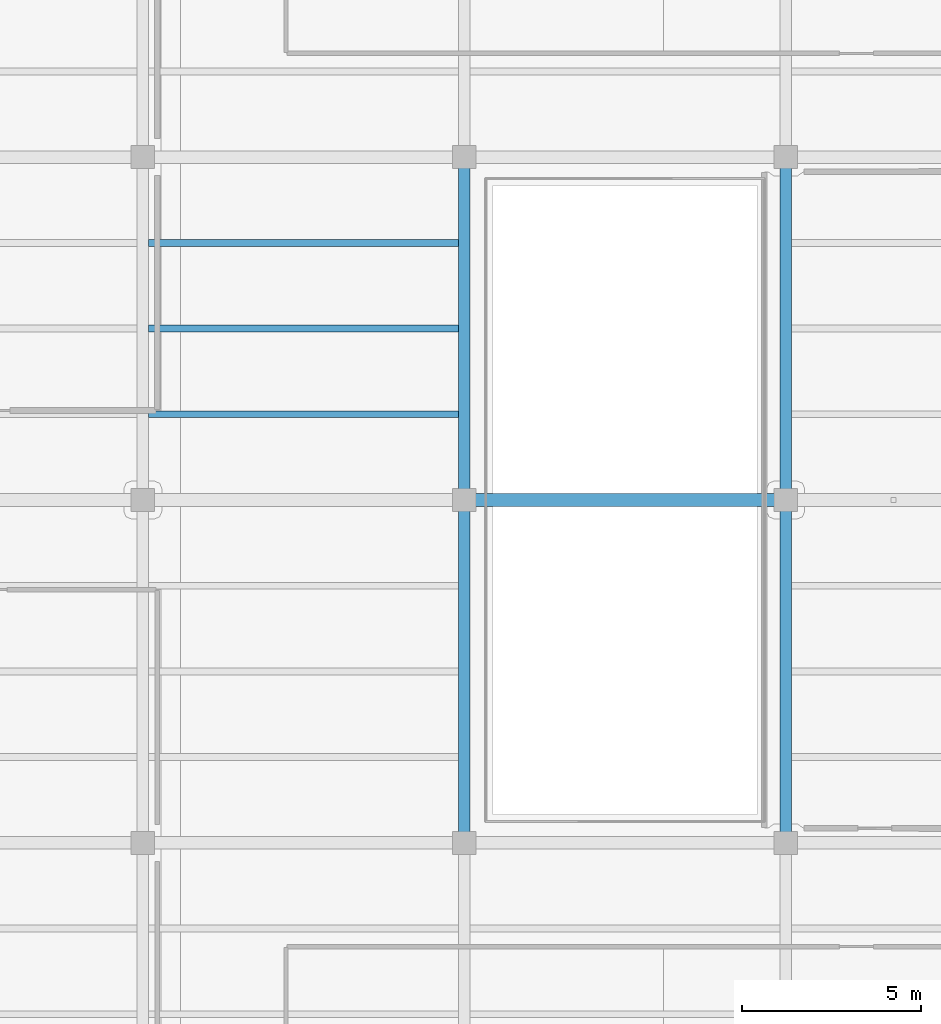
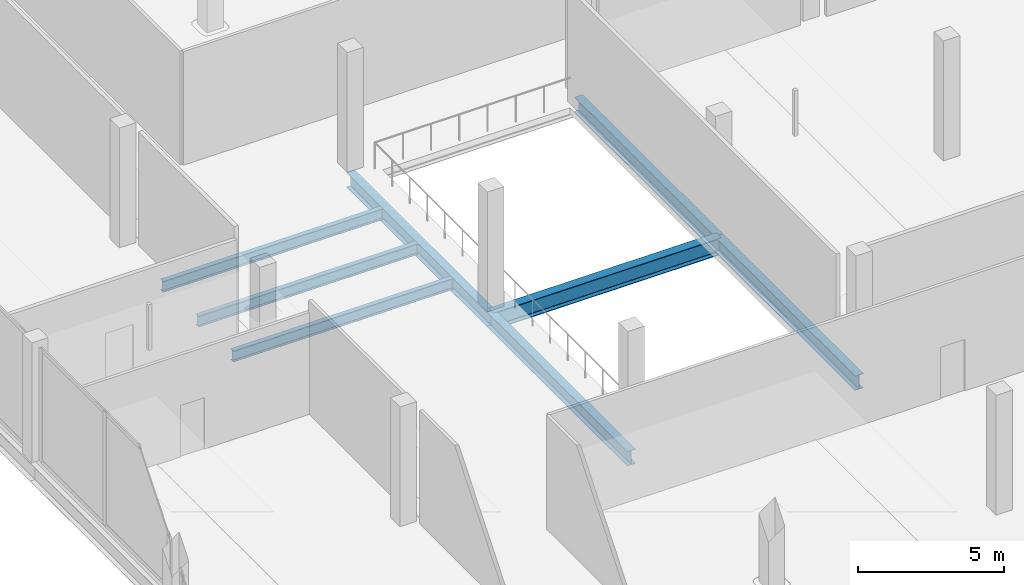
# One storey, part 10 of 46: 8 beams.
"""IFC4 building model written with IfcOpenShell, lengths in metres."""

from ifc_helpers import new_model, si_unit, direction, frame, origin, origin_2d, place, context, subcontext, project, spatial, i_section, extrude, material, material_profile, profile_set, type_object, element, save


model = new_model("IFC4")

# Units and contexts
model_context = context("Model", 3, precision=1e-05, world=origin(), true_north=direction((0.0, 1.0)))
body_context = subcontext(model_context, "Body", "Model", "MODEL_VIEW")
ifc_project = project(units=[si_unit("LENGTHUNIT", "METRE"), si_unit("AREAUNIT", "SQUARE_METRE"), si_unit("VOLUMEUNIT", "CUBIC_METRE"), si_unit("PLANEANGLEUNIT", "RADIAN"), si_unit("MASSUNIT", "GRAM", prefix="KILO")], contexts=[model_context])

# Site, building, storey
site_placement = place(None, origin())
site = spatial("IfcSite", under=ifc_project, at=site_placement, CompositionType="ELEMENT")
building_placement = place(site_placement, origin())
building = spatial("IfcBuilding", under=site, at=building_placement, Name="Qorvath Tower", CompositionType="ELEMENT")
storey_placement = place(building_placement, frame((0.0, 0.0, 17.0)))
storey = spatial("IfcBuildingStorey", under=building, at=storey_placement, Name="L03", CompositionType="ELEMENT", Elevation=17.0)

# Beams
ifc_material_1 = material(Name="Steel ASTM A992 Grade 50", Category="steel")
ifc_material_profile_1 = material_profile(ifc_material_1, i_section(OverallWidth=0.35595703125, OverallDepth=0.696044921875, WebThickness=0.015380859375, FlangeThickness=0.02490234375, FilletRadius=0.01806640625, at=origin_2d()), Name="W27x146")
ifc_profile_set_1 = profile_set([ifc_material_profile_1], Name="Steel ASTM A992 Grade 50")
beam_type_1 = type_object("IfcBeamType", Name="BM-FG4", PredefinedType="BEAM", material=ifc_profile_set_1)
beam_placement = place(storey_placement, frame((50.39990234375, 0.0, -0.60791015625), z_axis=(1.0, 0.0, 0.0), x_axis=(0.0, 1.0, 0.0)))
element("IfcBeam", 1, at=beam_placement, inside=storey, type_object=beam_type_1, Name="Library E-W Girder L03-5-3", PredefinedType="BEAM", context=body_context, shape_type="SweptSolid", body=[
    extrude(i_section(OverallWidth=0.35595703125, OverallDepth=0.696044921875, WebThickness=0.015380859375, FlangeThickness=0.02490234375, FilletRadius=0.01806640625, at=origin_2d()), origin(), (0.0, 0.0, 1.0), 9.0),
])
ifc_material_2 = material(Name="Steel ASTM A992 Grade 50", Category="steel")
ifc_material_profile_2 = material_profile(ifc_material_2, i_section(OverallWidth=0.324951171875, OverallDepth=0.615966796875, WebThickness=0.013916015625, FlangeThickness=0.021484375, FilletRadius=0.01611328125, at=origin_2d()), Name="W24x117")
ifc_profile_set_2 = profile_set([ifc_material_profile_2], Name="Steel ASTM A992 Grade 50")
beam_type_2 = type_object("IfcBeamType", Name="BM-FG5", PredefinedType="BEAM", material=ifc_profile_set_2)
for number, where, z_axis, x_axis, name in (
    (2, (50.39990234375, -9.60009765625, -0.568115234375), (0.0, 1.0, 0.0), (-1.0, 0.0, 0.0), "Library N-S Girder L03-3-4"),
    (3, (50.39990234375, 0.0, -0.568115234375), (0.0, 1.0, 0.0), (-1.0, 0.0, 0.0), "Library N-S Girder L03-3-5"),
    (4, (59.39990234375, -9.60009765625, -0.568115234375), (0.0, 1.0, 0.0), (-1.0, 0.0, 0.0), "Library N-S Girder L03-4-4"),
    (5, (59.39990234375, 0.0, -0.568115234375), (0.0, 1.0, 0.0), (-1.0, 0.0, 0.0), "Library N-S Girder L03-4-5"),
):
    element("IfcBeam", number, at=place(storey_placement, frame(where, z_axis=z_axis, x_axis=x_axis)), inside=storey, type_object=beam_type_2, Name=name, PredefinedType="BEAM", context=body_context, shape_type="SweptSolid", body=[
        extrude(i_section(OverallWidth=0.324951171875, OverallDepth=0.615966796875, WebThickness=0.013916015625, FlangeThickness=0.021484375, FilletRadius=0.01611328125, at=origin_2d()), origin(), (0.0, 0.0, 1.0), 9.60009765625),
    ])
ifc_material_3 = material(Name="Steel ASTM A992 Grade 50", Category="steel")
ifc_material_profile_3 = material_profile(ifc_material_3, i_section(OverallWidth=0.18994140625, OverallDepth=0.45703125, WebThickness=0.009033203125, FlangeThickness=0.014404296875, FilletRadius=0.011962890625, at=origin_2d()), Name="W18x50")
ifc_profile_set_3 = profile_set([ifc_material_profile_3], Name="Steel ASTM A992 Grade 50")
beam_type_3 = type_object("IfcBeamType", Name="BM-FJ2", PredefinedType="JOIST", material=ifc_profile_set_3)
for number, where, z_axis, x_axis, name in (
    (6, (41.560546875, 2.39990234375, -0.488525390625), (1.0, 0.0, 0.0), (0.0, 1.0, 0.0), "Library Stack Joist L03-5.1-2"),
    (7, (41.560546875, 4.800048828125, -0.488525390625), (1.0, 0.0, 0.0), (0.0, 1.0, 0.0), "Library Stack Joist L03-5.2-2"),
    (8, (41.560546875, 7.199951171875, -0.488525390625), (1.0, 0.0, 0.0), (0.0, 1.0, 0.0), "Library Stack Joist L03-5.3-2"),
):
    element("IfcBeam", number, at=place(storey_placement, frame(where, z_axis=z_axis, x_axis=x_axis)), inside=storey, type_object=beam_type_3, Name=name, PredefinedType="JOIST", context=body_context, shape_type="SweptSolid", body=[
        extrude(i_section(OverallWidth=0.18994140625, OverallDepth=0.45703125, WebThickness=0.009033203125, FlangeThickness=0.014404296875, FilletRadius=0.011962890625, at=origin_2d()), origin(), (0.0, 0.0, 1.0), 8.678955078125),
    ])

save(model, "model.ifc")
